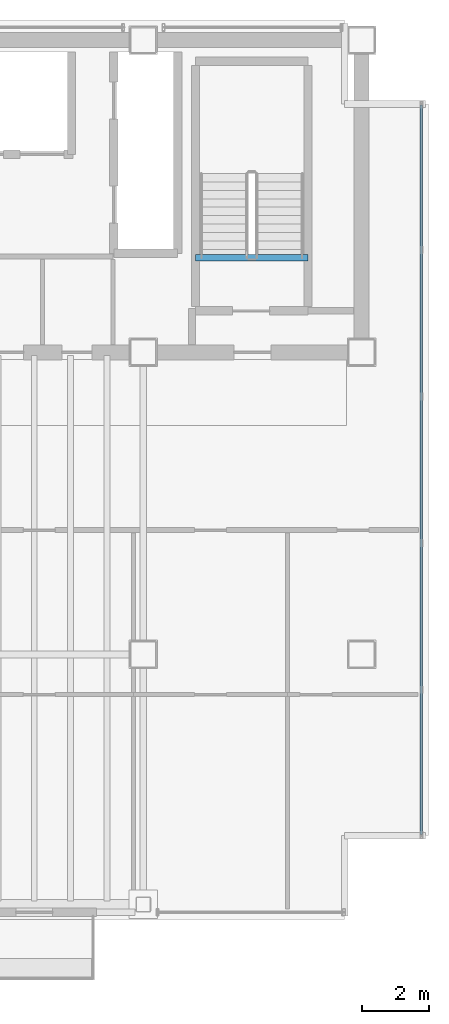
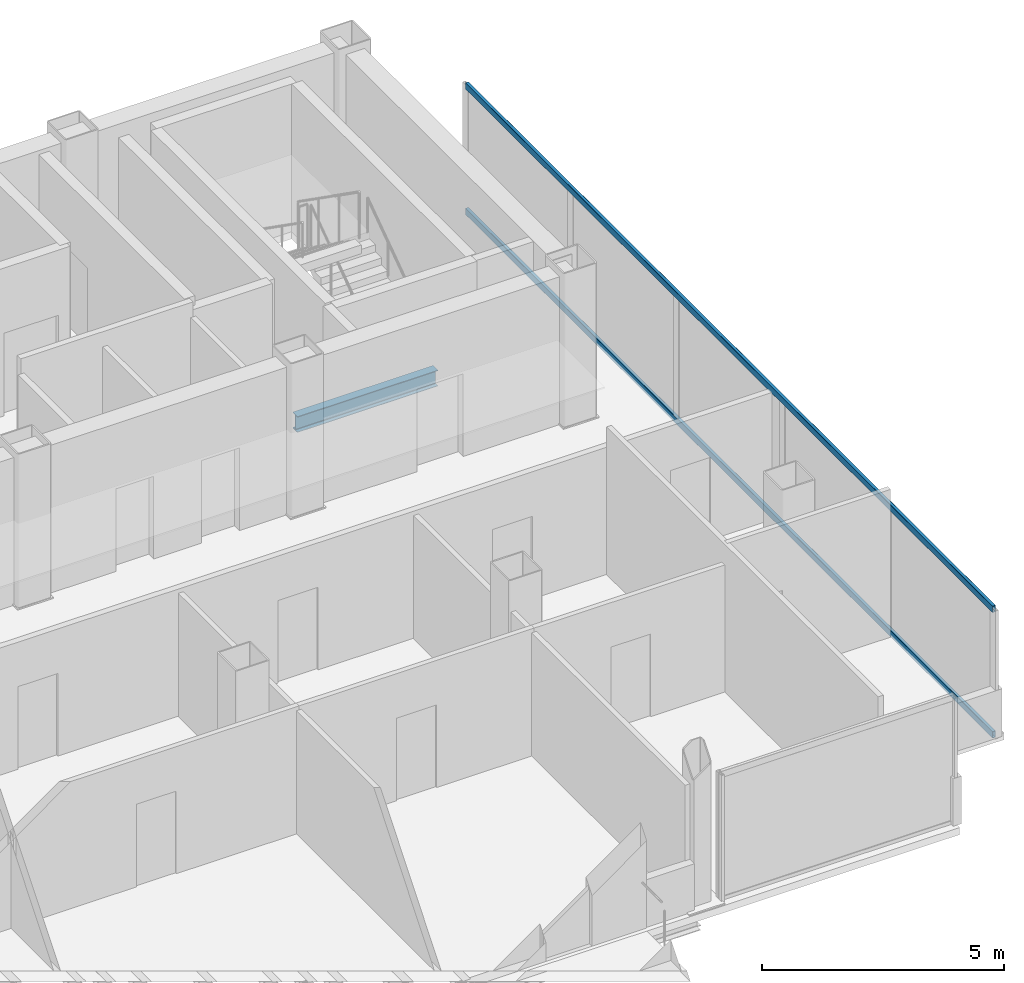
# One storey, part 11 of 17: 2 members, 1 beam, 1 element without a shape of its own.
"""IFC4 building model written with IfcOpenShell, lengths in metres."""

import ifcopenshell
import ifcopenshell.guid

model = None  # the IFC model being written
_history = None  # IfcOwnerHistory: only IFC2X3 demands one
_inside = {}  # id of a spatial element -> (the spatial element, [elements in it])
_under = {}  # id of a project, library or spatial element -> (it, [spatial elements below it])
_declared = {}  # id of a project -> (the project, [libraries it declares])
_typed = {}  # id of a type object -> (the type object, [elements of that type])
_made_of = {}  # id of a material, layer set ... -> (it, [elements and type objects made of it])


def new_model(schema):
    """Start an empty IFC model of exactly this schema.

    Asked for "IFC4X3", IfcOpenShell would pick the latest addendum, in which some entities
    have other attributes; the version numbers below select the first issue.
    IFC2X3 requires an IfcOwnerHistory on every rooted entity: one is made here for all.
    """
    global model, _history
    if schema == "IFC4X3":
        model = ifcopenshell.file(schema_version=(4, 3, 0, 0))
    else:
        model = ifcopenshell.file(schema=schema)
    _inside.clear()
    _under.clear()
    _declared.clear()
    _typed.clear()
    _made_of.clear()
    _history = None
    if model.schema == "IFC2X3":
        org = make("IfcOrganization", Name="unknown")
        user = make(
            "IfcPersonAndOrganization",
            ThePerson=make("IfcPerson", FamilyName="unknown"),
            TheOrganization=org,
        )
        app = make(
            "IfcApplication",
            ApplicationDeveloper=org,
            Version="unknown",
            ApplicationFullName="unknown",
            ApplicationIdentifier="unknown",
        )
        _history = make(
            "IfcOwnerHistory",
            OwningUser=user,
            OwningApplication=app,
            ChangeAction="ADDED",
            CreationDate=0,
        )
    return model


def make(cls, **values):
    """One entity of the class cls with the attributes given. An attribute that is None is left unset."""
    return model.create_entity(
        cls, **{name: value for name, value in values.items() if value is not None}
    )


def rooted(cls, **values):
    """An entity with a GlobalId (a new one), such as an element, a storey or a relation."""
    return make(cls, GlobalId=ifcopenshell.guid.new(), OwnerHistory=_history, **values)


def si_unit(unit_type, name, prefix=None):
    """IfcSIUnit, for example si_unit("LENGTHUNIT", "METRE", prefix="MILLI")."""
    return make("IfcSIUnit", UnitType=unit_type, Prefix=prefix, Name=name)


def assignment(units):
    """IfcUnitAssignment: the units of a project."""
    return None if units is None else make("IfcUnitAssignment", Units=units)


def point(xyz):
    """IfcCartesianPoint."""
    return None if xyz is None else make("IfcCartesianPoint", Coordinates=xyz)


def direction(xyz):
    """IfcDirection."""
    return None if xyz is None else make("IfcDirection", DirectionRatios=xyz)


def frame(location, z_axis=None, x_axis=None):
    """IfcAxis2Placement3D, a coordinate frame: its origin and axes. An axis left out is left unset."""
    return make(
        "IfcAxis2Placement3D",
        Location=point(location),
        Axis=direction(z_axis),
        RefDirection=direction(x_axis),
    )


def frame_2d(location, x_axis=None):
    """IfcAxis2Placement2D, a coordinate frame in the plane: its origin and x axis."""
    return make(
        "IfcAxis2Placement2D", Location=point(location), RefDirection=direction(x_axis)
    )


def origin():
    """The frame at (0, 0, 0) with its axes left unset."""
    return frame((0.0, 0.0, 0.0))


def origin_2d():
    """The frame at (0, 0) in the plane with its x axis left unset."""
    return frame_2d((0.0, 0.0))


def place(relative_to, where):
    """IfcLocalPlacement: puts the frame where relative to a parent placement (None: the world)."""
    return make(
        "IfcLocalPlacement", PlacementRelTo=relative_to, RelativePlacement=where
    )


def context(
    kind, dimensions, precision=None, world=None, true_north=None, identifier=None
):
    """IfcGeometricRepresentationContext, for example the 3D "Model" context."""
    return make(
        "IfcGeometricRepresentationContext",
        ContextIdentifier=identifier,
        ContextType=kind,
        CoordinateSpaceDimension=dimensions,
        Precision=precision,
        WorldCoordinateSystem=world,
        TrueNorth=true_north,
    )


def subcontext(parent, identifier, kind, view, scale=None):
    """IfcGeometricRepresentationSubContext, for example "Body" below "Model"."""
    return make(
        "IfcGeometricRepresentationSubContext",
        ContextIdentifier=identifier,
        ContextType=kind,
        ParentContext=parent,
        TargetScale=scale,
        TargetView=view,
    )


def project(units=None, contexts=None):
    """IfcProject with its units and contexts."""
    return rooted(
        "IfcProject",
        Name="project",
        RepresentationContexts=contexts,
        UnitsInContext=assignment(units),
    )


def spatial(cls, under=None, at=None, **own):
    """A site, building, storey or space (cls), placed at a placement, below another one or the project."""
    s = rooted(cls, ObjectPlacement=at, **own)
    if under is not None:
        _under.setdefault(under.id(), (under, []))[1].append(s)
    return s


def profile(cls, at=None, kind="AREA", **sizes):
    """A parametric profile (cls). Its sizes go by their IFC names, for example OverallWidth=200.0."""
    return make(cls, ProfileType=kind, Position=at, **sizes)


def hollow_rectangle(**sizes):
    """IfcRectangleHollowProfileDef."""
    return profile("IfcRectangleHollowProfileDef", **sizes)


def i_section(**sizes):
    """IfcIShapeProfileDef."""
    return profile("IfcIShapeProfileDef", **sizes)


def extrude(swept, where, along, depth):
    """IfcExtrudedAreaSolid: the profile swept, set in the frame where, extruded along a direction by depth."""
    return make(
        "IfcExtrudedAreaSolid",
        SweptArea=swept,
        Position=where,
        ExtrudedDirection=direction(along),
        Depth=depth,
    )


def shape(context_of_items, identifier, shape_type, items):
    """IfcShapeRepresentation: the items that make up one representation, for example the "Body"."""
    return make(
        "IfcShapeRepresentation",
        ContextOfItems=context_of_items,
        RepresentationIdentifier=identifier,
        RepresentationType=shape_type,
        Items=items,
    )


def material(Name=None, Category=None):
    """IfcMaterial."""
    return make("IfcMaterial", Name=Name, Category=Category)


def material_profile(
    of_material, cross_section, Name=None, Category=None, Priority=None
):
    """IfcMaterialProfile: a cross section and its material."""
    return make(
        "IfcMaterialProfile",
        Name=Name,
        Material=of_material,
        Profile=cross_section,
        Priority=Priority,
        Category=Category,
    )


def profile_set(profiles, Name=None, composite=None):
    """IfcMaterialProfileSet."""
    return make(
        "IfcMaterialProfileSet",
        Name=Name,
        MaterialProfiles=profiles,
        CompositeProfile=composite,
    )


def made_of(thing, what):
    """Note that an element or type object is made of a material, layer set ...; save() writes the relation."""
    if what is not None:
        _made_of.setdefault(what.id(), (what, []))[1].append(thing)
    return thing


def type_object(cls, material=None, **own):
    """A type object (cls), such as IfcWallType, which elements share."""
    return made_of(rooted(cls, **own), material)


def element(
    cls,
    number,
    at=None,
    inside=None,
    cuts=None,
    type_object=None,
    material=None,
    context=None,
    identifier="Body",
    shape_type=None,
    held_by="IfcProductDefinitionShape",
    body=None,
    shapes=None,
    **own,
):
    """One element of the class cls, such as IfcWall. Its Tag is "e" and its number.

    at: its placement. inside: the storey or other place that contains it. cuts: it is an
    opening in that element (IfcRelVoidsElement). A single representation is given by context,
    identifier, shape_type and body (its items); several are given by shapes. held_by: the class
    of the entity that holds the representations. save() writes the other relations.
    """
    e = rooted(cls, Tag="e%d" % number, ObjectPlacement=at, **own)
    if body is not None:
        shapes = [shape(context, identifier, shape_type, body)]
    if shapes is not None:
        e.Representation = make(held_by, Representations=shapes)
    if inside is not None:
        _inside.setdefault(inside.id(), (inside, []))[1].append(e)
    if cuts is not None:
        rooted(
            "IfcRelVoidsElement", RelatingBuildingElement=cuts, RelatedOpeningElement=e
        )
    if type_object is not None:
        _typed.setdefault(type_object.id(), (type_object, []))[1].append(e)
    return made_of(e, material)


def aggregate(whole, parts):
    """IfcRelAggregates: a whole, such as a stair, and the parts it consists of."""
    return rooted("IfcRelAggregates", RelatingObject=whole, RelatedObjects=parts)


def save(model, path):
    """Write the relations noted so far, then the file.

    IfcRelAggregates (storeys below a building ...), IfcRelContainedInSpatialStructure (elements
    in a storey), IfcRelDefinesByType, IfcRelAssociatesMaterial and IfcRelDeclares: one each for
    every whole, place, type object, material and project.
    """
    for whole, parts in _under.values():
        aggregate(whole, parts)
    for where, things in _inside.values():
        rooted(
            "IfcRelContainedInSpatialStructure",
            RelatedElements=things,
            RelatingStructure=where,
        )
    for kind, things in _typed.values():
        rooted("IfcRelDefinesByType", RelatedObjects=things, RelatingType=kind)
    for what, things in _made_of.values():
        rooted("IfcRelAssociatesMaterial", RelatedObjects=things, RelatingMaterial=what)
    for by, libraries in _declared.values():
        rooted("IfcRelDeclares", RelatingContext=by, RelatedDefinitions=libraries)
    model.write(path)


model = new_model("IFC4")

# Units and contexts
model_context = context("Model", 3, precision=1e-05, world=origin(), true_north=direction((0.0, 1.0)))
body_context = subcontext(model_context, "Body", "Model", "MODEL_VIEW")
ifc_project = project(units=[si_unit("LENGTHUNIT", "METRE"), si_unit("AREAUNIT", "SQUARE_METRE"), si_unit("VOLUMEUNIT", "CUBIC_METRE"), si_unit("PLANEANGLEUNIT", "RADIAN"), si_unit("MASSUNIT", "GRAM", prefix="KILO")], contexts=[model_context])

# Site, building, storey
site_placement = place(None, origin())
site = spatial("IfcSite", under=ifc_project, at=site_placement, CompositionType="ELEMENT")
building_placement = place(site_placement, origin())
building = spatial("IfcBuilding", under=site, at=building_placement, Name="Noeulbin Bourse Tower", CompositionType="ELEMENT")
storey_placement = place(building_placement, frame((0.0, 0.0, 242.300048828125)))
storey = spatial("IfcBuildingStorey", under=building, at=storey_placement, Name="L60", CompositionType="ELEMENT", Elevation=242.300048828125)

# Beam
ifc_material_1 = material(Name="Steel S355", Category="steel")
ifc_material_profile_1 = material_profile(ifc_material_1, i_section(OverallWidth=0.199951171875, OverallDepth=0.39990234375, WebThickness=0.008056640625, FlangeThickness=0.012939453125, FilletRadius=0.01611328125, at=origin_2d()), Name="H-400x200x8x13", Category="LoadBearing")
ifc_profile_set_1 = profile_set([ifc_material_profile_1], Name="Steel S355")
beam_type = type_object("IfcBeamType", Name="BM-SEC-400", PredefinedType="BEAM", material=ifc_profile_set_1)
beam_placement = place(storey_placement, frame((39.06005859375, 31.820068359375, -0.199951171875), z_axis=(1.0, 0.0, 0.0), x_axis=(0.0, 1.0, 0.0)))
element("IfcBeam", 1, at=beam_placement, inside=storey, type_object=beam_type, Name="Stair Threshold Trimmer Beam ST2-L60", PredefinedType="BEAM", context=body_context, shape_type="SweptSolid", body=[
    extrude(i_section(OverallWidth=0.199951171875, OverallDepth=0.39990234375, WebThickness=0.008056640625, FlangeThickness=0.012939453125, FilletRadius=0.01611328125, at=origin_2d()), origin(), (0.0, 0.0, 1.0), 3.33984375),
])

# Curtain wall, members
ifc_material_2 = material(Name="High-Selectivity Low-Iron Glazing", Category="glass")
curtain_wall_type = type_object("IfcCurtainWallType", Name="CW-SYS-4", PredefinedType="NOTDEFINED", material=ifc_material_2)
curtain_wall_placement = place(storey_placement, origin())
curtain_wall = element("IfcCurtainWall", 2, at=curtain_wall_placement, inside=storey, type_object=curtain_wall_type, Name="Unitised Curtain Wall CW-L60-E", PredefinedType="NOTDEFINED")
ifc_material_3 = material(Name="Anodised Aluminium 6063-T6", Category="aluminium")
ifc_material_profile_2 = material_profile(ifc_material_3, hollow_rectangle(XDim=0.074951171875, YDim=0.159912109375, WallThickness=0.0048828125, InnerFilletRadius=0.00244140625, OuterFilletRadius=0.0048828125, at=origin_2d()), Name="ALU-TRAN-75x160x5", Category="LoadBearing")
ifc_profile_set_2 = profile_set([ifc_material_profile_2], Name="Anodised Aluminium 6063-T6")
member_type = type_object("IfcMemberType", Name="CW-SYS-4-TRN", PredefinedType="USERDEFINED", material=ifc_profile_set_2)
member_1_placement = place(storey_placement, frame((45.780029296875, 14.6298828125, 0.010009765625), z_axis=(0.0, 1.0, 0.0), x_axis=(-1.0, 0.0, 0.0)))
member_1 = element("IfcMember", 3, at=member_1_placement, type_object=member_type, Name="Curtain Wall Transom CW-L60-E-T00", ObjectType="TRANSOM", PredefinedType="USERDEFINED", context=body_context, shape_type="SweptSolid", body=[
    extrude(hollow_rectangle(XDim=0.074951171875, YDim=0.159912109375, WallThickness=0.0048828125, InnerFilletRadius=0.00244140625, OuterFilletRadius=0.0048828125, at=origin_2d()), origin(), (0.0, 0.0, 1.0), 21.740234375),
])
member_2_placement = place(storey_placement, frame((45.780029296875, 14.6298828125, 3.169921875), z_axis=(0.0, 1.0, 0.0), x_axis=(-1.0, 0.0, 0.0)))
member_2 = element("IfcMember", 4, at=member_2_placement, type_object=member_type, Name="Curtain Wall Transom CW-L60-E-T01", ObjectType="TRANSOM", PredefinedType="USERDEFINED", context=body_context, shape_type="SweptSolid", body=[
    extrude(hollow_rectangle(XDim=0.074951171875, YDim=0.159912109375, WallThickness=0.0048828125, InnerFilletRadius=0.00244140625, OuterFilletRadius=0.0048828125, at=origin_2d()), origin(), (0.0, 0.0, 1.0), 21.740234375),
])
aggregate(curtain_wall, [member_1, member_2])

save(model, "model.ifc")
